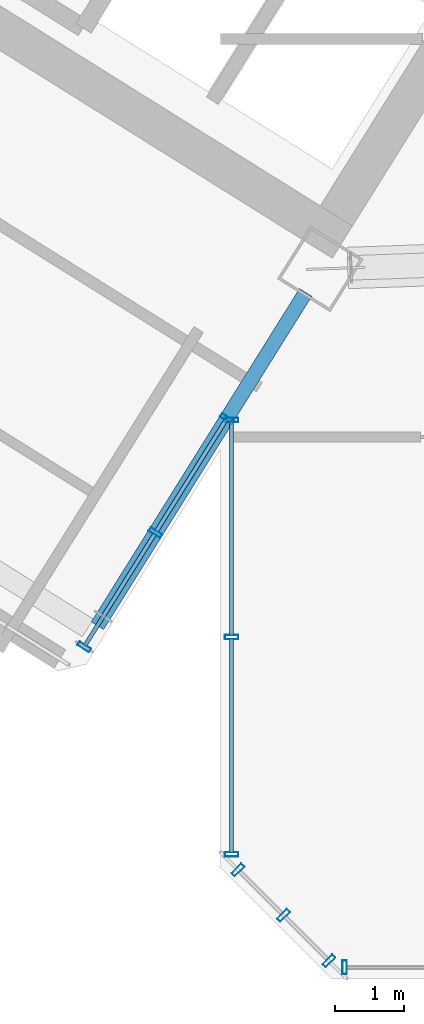
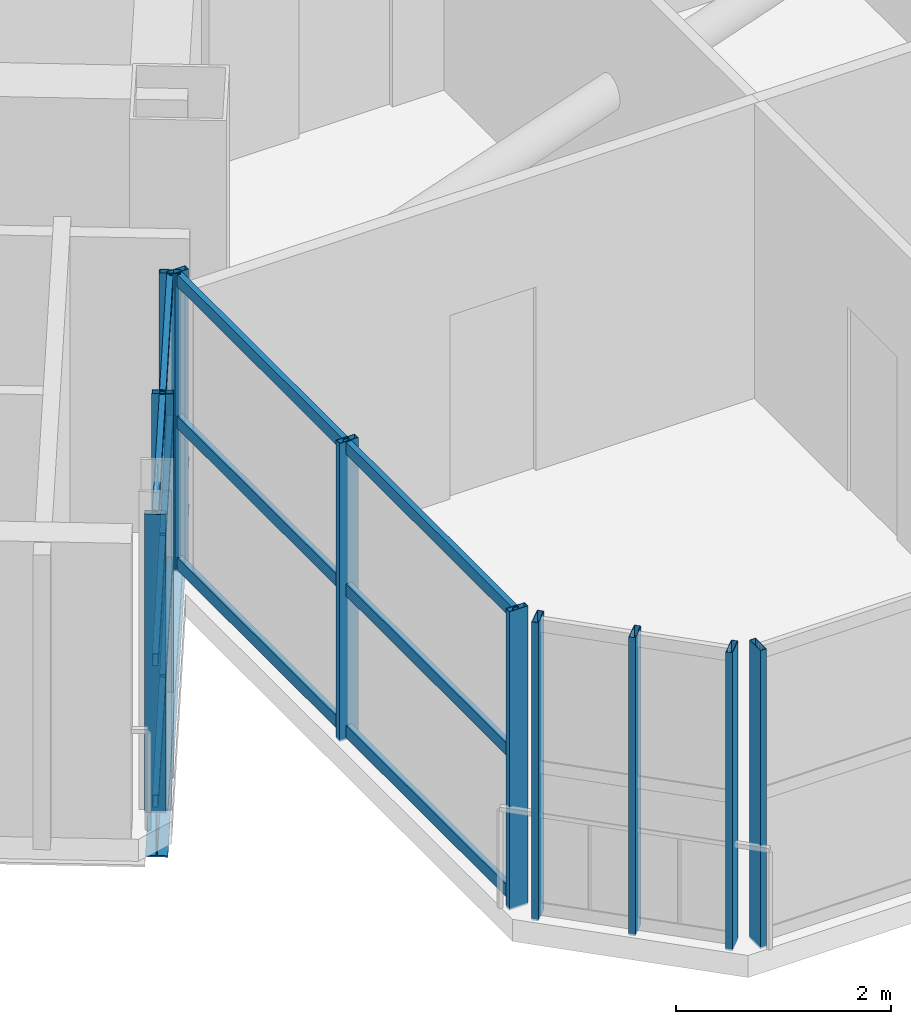
# One storey, part 6 of 29: 22 members, 1 beam, 4 elements without a shape of their own.
"""IFC4 building model written with IfcOpenShell, lengths in metres."""

from ifc_helpers import new_model, si_unit, direction, frame, origin, origin_2d, place, context, subcontext, project, spatial, hollow_rectangle, i_section, extrude, source, transform, mapped, material, material_profile, profile_set, type_object, element, aggregate, save


model = new_model("IFC4")

# Units and contexts
model_context = context("Model", 3, precision=1e-05, world=origin(), true_north=direction((0.0, 1.0)))
body_context = subcontext(model_context, "Body", "Model", "MODEL_VIEW")
ifc_project = project(units=[si_unit("LENGTHUNIT", "METRE"), si_unit("AREAUNIT", "SQUARE_METRE"), si_unit("VOLUMEUNIT", "CUBIC_METRE"), si_unit("PLANEANGLEUNIT", "RADIAN"), si_unit("MASSUNIT", "GRAM", prefix="KILO")], contexts=[model_context])

# Site, building, storey
site_placement = place(None, origin())
site = spatial("IfcSite", under=ifc_project, at=site_placement, CompositionType="ELEMENT")
building_placement = place(site_placement, origin())
building = spatial("IfcBuilding", under=site, at=building_placement, Name="Tlacorven Tower", CompositionType="ELEMENT")
storey_placement = place(building_placement, frame((0.0, 0.0, 151.5)))
storey = spatial("IfcBuildingStorey", under=building, at=storey_placement, Name="L38", CompositionType="ELEMENT", Elevation=151.5)

# Beam
ifc_material_1 = material(Name="Steel S355J2", Category="steel")
ifc_material_profile_1 = material_profile(ifc_material_1, i_section(OverallWidth=0.2099609375, OverallDepth=0.550048828125, WebThickness=0.010986328125, FlangeThickness=0.01708984375, at=origin_2d()), Name="IPE 550")
ifc_profile_set_1 = profile_set([ifc_material_profile_1], Name="Steel S355J2")
beam_type = type_object("IfcBeamType", Name="BM-TWR-550", PredefinedType="BEAM", material=ifc_profile_set_1)
shared_shape_1 = source(origin(), body_context, "Body", "SweptSolid", [
    extrude(i_section(OverallWidth=0.2099609375, OverallDepth=0.550048828125, WebThickness=0.010986328125, FlangeThickness=0.01708984375, at=origin_2d()), origin(), (0.0, 0.0, 1.0), 5.699951171875),
])
beam_placement = place(storey_placement, frame((32.834228515625, 11.74755859375, -0.52490234375), z_axis=(-0.529925785607, -0.848044021115, 0.0), x_axis=(0.848044021115, -0.529925785607, 0.0)))
element("IfcBeam", 1, at=beam_placement, inside=storey, type_object=beam_type, Name="L38 beam BM-L38-WT1-2", PredefinedType="BEAM", context=body_context, shape_type="MappedRepresentation", body=[
    mapped(shared_shape_1, transform((0.0, 0.0, 0.0), scale=1.0)),
])

# Curtain wall, member
ifc_material_2 = material(Name="Dark solar low-E double glazing in aluminium frame", Category="aluminium")
curtain_wall_type = type_object("IfcCurtainWallType", Name="CW-TWR-MID", PredefinedType="USERDEFINED", material=ifc_material_2)
curtain_wall_1_placement = place(storey_placement, origin())
curtain_wall_1 = element("IfcCurtainWall", 2, at=curtain_wall_1_placement, inside=storey, type_object=curtain_wall_type, Name="L38 CW-TWR-MID Curtain Wall 168", ObjectType="UNITISED CURTAIN WALL", PredefinedType="USERDEFINED")
ifc_material_3 = material(Name="Aluminium 6063-T6 anodised", Category="aluminium")
ifc_material_profile_2 = material_profile(ifc_material_3, hollow_rectangle(XDim=0.06494140625, YDim=0.199951171875, WallThickness=0.00439453125, at=origin_2d()), Name="ALU MULLION 65X200")
ifc_profile_set_2 = profile_set([ifc_material_profile_2], Name="Aluminium 6063-T6 anodised")
member_type_1 = type_object("IfcMemberType", Name="CWM-02", PredefinedType="MULLION", material=ifc_profile_set_2)
shared_shape_2 = source(origin(), body_context, "Body", "SweptSolid", [
    extrude(hollow_rectangle(XDim=0.06494140625, YDim=0.199951171875, WallThickness=0.00439453125, at=origin_2d()), origin(), (0.0, 0.0, 1.0), 3.380126953125),
])
member_1_placement = place(storey_placement, frame((33.398681640625, 1.9599609375, -0.02001953125), z_axis=(0.0, 0.0, 1.0), x_axis=(-1.0, 0.0, 0.0)))
member_1 = element("IfcMember", 3, at=member_1_placement, type_object=member_type_1, Name="CW-L38-168 Mullion 4", PredefinedType="MULLION", context=body_context, shape_type="MappedRepresentation", body=[
    mapped(shared_shape_2, transform((0.0, 0.0, 0.0), scale=1.0)),
])
aggregate(curtain_wall_1, [member_1])

# Curtain wall, members
curtain_wall_2_placement = place(storey_placement, origin())
curtain_wall_2 = element("IfcCurtainWall", 4, at=curtain_wall_2_placement, inside=storey, type_object=curtain_wall_type, Name="L38 CW-TWR-MID Curtain Wall 169", ObjectType="UNITISED CURTAIN WALL", PredefinedType="USERDEFINED")
member_2_placement = place(storey_placement, frame((33.172607421875, 2.0537109375, -0.02001953125), z_axis=(0.0, 0.0, 1.0), x_axis=(-0.707106781187, 0.707106781187, 0.0)))
member_2 = element("IfcMember", 5, at=member_2_placement, type_object=member_type_1, Name="CW-L38-169 Mullion 1", PredefinedType="MULLION", context=body_context, shape_type="MappedRepresentation", body=[
    mapped(shared_shape_2, transform((0.0, 0.0, 0.0), scale=1.0)),
])
member_3_placement = place(storey_placement, frame((32.51318359375, 2.713134765625, -0.02001953125), z_axis=(0.0, 0.0, 1.0), x_axis=(-0.707106781187, 0.707106781187, 0.0)))
member_3 = element("IfcMember", 6, at=member_3_placement, type_object=member_type_1, Name="CW-L38-169 Mullion 2", PredefinedType="MULLION", context=body_context, shape_type="MappedRepresentation", body=[
    mapped(shared_shape_2, transform((0.0, 0.0, 0.0), scale=1.0)),
])
member_4_placement = place(storey_placement, frame((31.853759765625, 3.37255859375, -0.02001953125), z_axis=(0.0, 0.0, 1.0), x_axis=(-0.707106781187, 0.707106781187, 0.0)))
member_4 = element("IfcMember", 7, at=member_4_placement, type_object=member_type_1, Name="CW-L38-169 Mullion 3", PredefinedType="MULLION", context=body_context, shape_type="MappedRepresentation", body=[
    mapped(shared_shape_2, transform((0.0, 0.0, 0.0), scale=1.0)),
])
aggregate(curtain_wall_2, [member_2, member_3, member_4])

curtain_wall_3_placement = place(storey_placement, origin())
curtain_wall_3 = element("IfcCurtainWall", 8, at=curtain_wall_3_placement, inside=storey, type_object=curtain_wall_type, Name="L38 CW-TWR-MID Curtain Wall 170", ObjectType="UNITISED CURTAIN WALL", PredefinedType="USERDEFINED")
member_5_placement = place(storey_placement, frame((31.760009765625, 3.598876953125, -0.02001953125), z_axis=(0.0, 0.0, 1.0), x_axis=(0.0, 1.0, 0.0)))
member_5 = element("IfcMember", 9, at=member_5_placement, type_object=member_type_1, Name="CW-L38-170 Mullion 1", PredefinedType="MULLION", context=body_context, shape_type="MappedRepresentation", body=[
    mapped(shared_shape_2, transform((0.0, 0.0, 0.0), scale=1.0)),
])
member_6_placement = place(storey_placement, frame((31.760009765625, 6.74755859375, -0.02001953125), z_axis=(0.0, 0.0, 1.0), x_axis=(0.0, 1.0, 0.0)))
member_6 = element("IfcMember", 10, at=member_6_placement, type_object=member_type_1, Name="CW-L38-170 Mullion 2", PredefinedType="MULLION", context=body_context, shape_type="MappedRepresentation", body=[
    mapped(shared_shape_2, transform((0.0, 0.0, 0.0), scale=1.0)),
])
member_7_placement = place(storey_placement, frame((31.760009765625, 9.896240234375, -0.02001953125), z_axis=(0.0, 0.0, 1.0), x_axis=(0.0, 1.0, 0.0)))
member_7 = element("IfcMember", 11, at=member_7_placement, type_object=member_type_1, Name="CW-L38-170 Mullion 3", PredefinedType="MULLION", context=body_context, shape_type="MappedRepresentation", body=[
    mapped(shared_shape_2, transform((0.0, 0.0, 0.0), scale=1.0)),
])

curtain_wall_4_placement = place(storey_placement, origin())
curtain_wall_4 = element("IfcCurtainWall", 12, at=curtain_wall_4_placement, inside=storey, type_object=curtain_wall_type, Name="L38 CW-TWR-MID Curtain Wall 171", ObjectType="UNITISED CURTAIN WALL", PredefinedType="USERDEFINED")
member_8_placement = place(storey_placement, frame((31.689697265625, 9.916259765625, -0.02001953125), z_axis=(0.0, 0.0, 1.0), x_axis=(-0.529918710919, -0.848048441905, 0.0)))
member_8 = element("IfcMember", 13, at=member_8_placement, type_object=member_type_1, Name="CW-L38-171 Mullion 1", PredefinedType="MULLION", context=body_context, shape_type="MappedRepresentation", body=[
    mapped(shared_shape_2, transform((0.0, 0.0, 0.0), scale=1.0)),
])
member_9_placement = place(storey_placement, frame((30.656005859375, 8.261962890625, -0.02001953125), z_axis=(0.0, 0.0, 1.0), x_axis=(-0.529918710919, -0.848048441905, 0.0)))
member_9 = element("IfcMember", 14, at=member_9_placement, type_object=member_type_1, Name="CW-L38-171 Mullion 2", PredefinedType="MULLION", context=body_context, shape_type="MappedRepresentation", body=[
    mapped(shared_shape_2, transform((0.0, 0.0, 0.0), scale=1.0)),
])
member_10_placement = place(storey_placement, frame((29.622314453125, 6.607421875, -0.02001953125), z_axis=(0.0, 0.0, 1.0), x_axis=(-0.529918710919, -0.848048441905, 0.0)))
member_10 = element("IfcMember", 15, at=member_10_placement, type_object=member_type_1, Name="CW-L38-171 Mullion 3", PredefinedType="MULLION", context=body_context, shape_type="MappedRepresentation", body=[
    mapped(shared_shape_2, transform((0.0, 0.0, 0.0), scale=1.0)),
])

# Member
ifc_material_profile_3 = material_profile(ifc_material_3, hollow_rectangle(XDim=0.06005859375, YDim=0.139892578125, WallThickness=0.00390625, at=origin_2d()), Name="ALU TRANSOM 60X140")
ifc_profile_set_3 = profile_set([ifc_material_profile_3], Name="Aluminium 6063-T6 anodised")
member_type_2 = type_object("IfcMemberType", Name="CWT-02", PredefinedType="USERDEFINED", material=ifc_profile_set_3)
shared_shape_3 = source(origin(), body_context, "Body", "SweptSolid", [
    extrude(hollow_rectangle(XDim=0.06005859375, YDim=0.139892578125, WallThickness=0.00390625, at=origin_2d()), origin(), (0.0, 0.0, 1.0), 3.107666015625),
])
member_11_placement = place(storey_placement, frame((31.760009765625, 3.619384765625, 0.070068359375), z_axis=(0.0, 1.0, 0.0), x_axis=(-1.0, 0.0, 0.0)))
member_11 = element("IfcMember", 16, at=member_11_placement, type_object=member_type_2, Name="CW-L38-170 Transom 1", ObjectType="TRANSOM", PredefinedType="USERDEFINED", context=body_context, shape_type="MappedRepresentation", body=[
    mapped(shared_shape_3, transform((0.0, 0.0, 0.0), scale=1.0)),
])

member_12_placement = place(storey_placement, frame((31.760009765625, 3.619384765625, 1.675048828125), z_axis=(0.0, 1.0, 0.0), x_axis=(-1.0, 0.0, 0.0)))
member_12 = element("IfcMember", 17, at=member_12_placement, type_object=member_type_2, Name="CW-L38-170 Transom 2", ObjectType="TRANSOM", PredefinedType="USERDEFINED", context=body_context, shape_type="MappedRepresentation", body=[
    mapped(shared_shape_3, transform((0.0, 0.0, 0.0), scale=1.0)),
])

member_13_placement = place(storey_placement, frame((31.760009765625, 3.619384765625, 3.280029296875), z_axis=(0.0, 1.0, 0.0), x_axis=(-1.0, 0.0, 0.0)))
member_13 = element("IfcMember", 18, at=member_13_placement, type_object=member_type_2, Name="CW-L38-170 Transom 3", ObjectType="TRANSOM", PredefinedType="USERDEFINED", context=body_context, shape_type="MappedRepresentation", body=[
    mapped(shared_shape_3, transform((0.0, 0.0, 0.0), scale=1.0)),
])

member_14_placement = place(storey_placement, frame((31.760009765625, 6.76806640625, 0.070068359375), z_axis=(0.0, 1.0, 0.0), x_axis=(-1.0, 0.0, 0.0)))
member_14 = element("IfcMember", 19, at=member_14_placement, type_object=member_type_2, Name="CW-L38-170 Transom 4", ObjectType="TRANSOM", PredefinedType="USERDEFINED", context=body_context, shape_type="MappedRepresentation", body=[
    mapped(shared_shape_3, transform((0.0, 0.0, 0.0), scale=1.0)),
])

member_15_placement = place(storey_placement, frame((31.760009765625, 6.76806640625, 1.675048828125), z_axis=(0.0, 1.0, 0.0), x_axis=(-1.0, 0.0, 0.0)))
member_15 = element("IfcMember", 20, at=member_15_placement, type_object=member_type_2, Name="CW-L38-170 Transom 5", ObjectType="TRANSOM", PredefinedType="USERDEFINED", context=body_context, shape_type="MappedRepresentation", body=[
    mapped(shared_shape_3, transform((0.0, 0.0, 0.0), scale=1.0)),
])

member_16_placement = place(storey_placement, frame((31.760009765625, 6.76806640625, 3.280029296875), z_axis=(0.0, 1.0, 0.0), x_axis=(-1.0, 0.0, 0.0)))
member_16 = element("IfcMember", 21, at=member_16_placement, type_object=member_type_2, Name="CW-L38-170 Transom 6", ObjectType="TRANSOM", PredefinedType="USERDEFINED", context=body_context, shape_type="MappedRepresentation", body=[
    mapped(shared_shape_3, transform((0.0, 0.0, 0.0), scale=1.0)),
])

aggregate(curtain_wall_3, [member_5, member_6, member_7, member_11, member_12, member_13, member_14, member_15, member_16])

shared_shape_4 = source(origin(), body_context, "Body", "SweptSolid", [
    extrude(hollow_rectangle(XDim=0.06005859375, YDim=0.139892578125, WallThickness=0.00390625, at=origin_2d()), origin(), (0.0, 0.0, 1.0), 1.909912109375),
])
member_17_placement = place(storey_placement, frame((31.678955078125, 9.89892578125, 0.070068359375), z_axis=(-0.529975959448, -0.848012666419, 0.0), x_axis=(0.848012666419, -0.529975959448, 0.0)))
member_17 = element("IfcMember", 22, at=member_17_placement, type_object=member_type_2, Name="CW-L38-171 Transom 1", ObjectType="TRANSOM", PredefinedType="USERDEFINED", context=body_context, shape_type="MappedRepresentation", body=[
    mapped(shared_shape_4, transform((0.0, 0.0, 0.0), scale=1.0)),
])

member_18_placement = place(storey_placement, frame((31.678955078125, 9.89892578125, 1.675048828125), z_axis=(-0.529975959448, -0.848012666419, 0.0), x_axis=(0.848012666419, -0.529975959448, 0.0)))
member_18 = element("IfcMember", 23, at=member_18_placement, type_object=member_type_2, Name="CW-L38-171 Transom 2", ObjectType="TRANSOM", PredefinedType="USERDEFINED", context=body_context, shape_type="MappedRepresentation", body=[
    mapped(shared_shape_4, transform((0.0, 0.0, 0.0), scale=1.0)),
])

member_19_placement = place(storey_placement, frame((31.678955078125, 9.89892578125, 3.280029296875), z_axis=(-0.529975959448, -0.848012666419, 0.0), x_axis=(0.848012666419, -0.529975959448, 0.0)))
member_19 = element("IfcMember", 24, at=member_19_placement, type_object=member_type_2, Name="CW-L38-171 Transom 3", ObjectType="TRANSOM", PredefinedType="USERDEFINED", context=body_context, shape_type="MappedRepresentation", body=[
    mapped(shared_shape_4, transform((0.0, 0.0, 0.0), scale=1.0)),
])

shared_shape_5 = source(origin(), body_context, "Body", "SweptSolid", [
    extrude(hollow_rectangle(XDim=0.06005859375, YDim=0.139892578125, WallThickness=0.00390625, at=origin_2d()), origin(), (0.0, 0.0, 1.0), 1.90966796875),
])
member_20_placement = place(storey_placement, frame((30.64501953125, 8.244384765625, 0.070068359375), z_axis=(-0.529884025548, -0.848070114713, 0.0), x_axis=(0.848070114713, -0.529884025548, 0.0)))
member_20 = element("IfcMember", 25, at=member_20_placement, type_object=member_type_2, Name="CW-L38-171 Transom 4", ObjectType="TRANSOM", PredefinedType="USERDEFINED", context=body_context, shape_type="MappedRepresentation", body=[
    mapped(shared_shape_5, transform((0.0, 0.0, 0.0), scale=1.0)),
])

member_21_placement = place(storey_placement, frame((30.64501953125, 8.244384765625, 1.675048828125), z_axis=(-0.529884025548, -0.848070114713, 0.0), x_axis=(0.848070114713, -0.529884025548, 0.0)))
member_21 = element("IfcMember", 26, at=member_21_placement, type_object=member_type_2, Name="CW-L38-171 Transom 5", ObjectType="TRANSOM", PredefinedType="USERDEFINED", context=body_context, shape_type="MappedRepresentation", body=[
    mapped(shared_shape_5, transform((0.0, 0.0, 0.0), scale=1.0)),
])

member_22_placement = place(storey_placement, frame((30.64501953125, 8.244384765625, 3.280029296875), z_axis=(-0.529884025548, -0.848070114713, 0.0), x_axis=(0.848070114713, -0.529884025548, 0.0)))
member_22 = element("IfcMember", 27, at=member_22_placement, type_object=member_type_2, Name="CW-L38-171 Transom 6", ObjectType="TRANSOM", PredefinedType="USERDEFINED", context=body_context, shape_type="MappedRepresentation", body=[
    mapped(shared_shape_5, transform((0.0, 0.0, 0.0), scale=1.0)),
])

aggregate(curtain_wall_4, [member_8, member_9, member_10, member_17, member_18, member_19, member_20, member_21, member_22])

save(model, "model.ifc")
